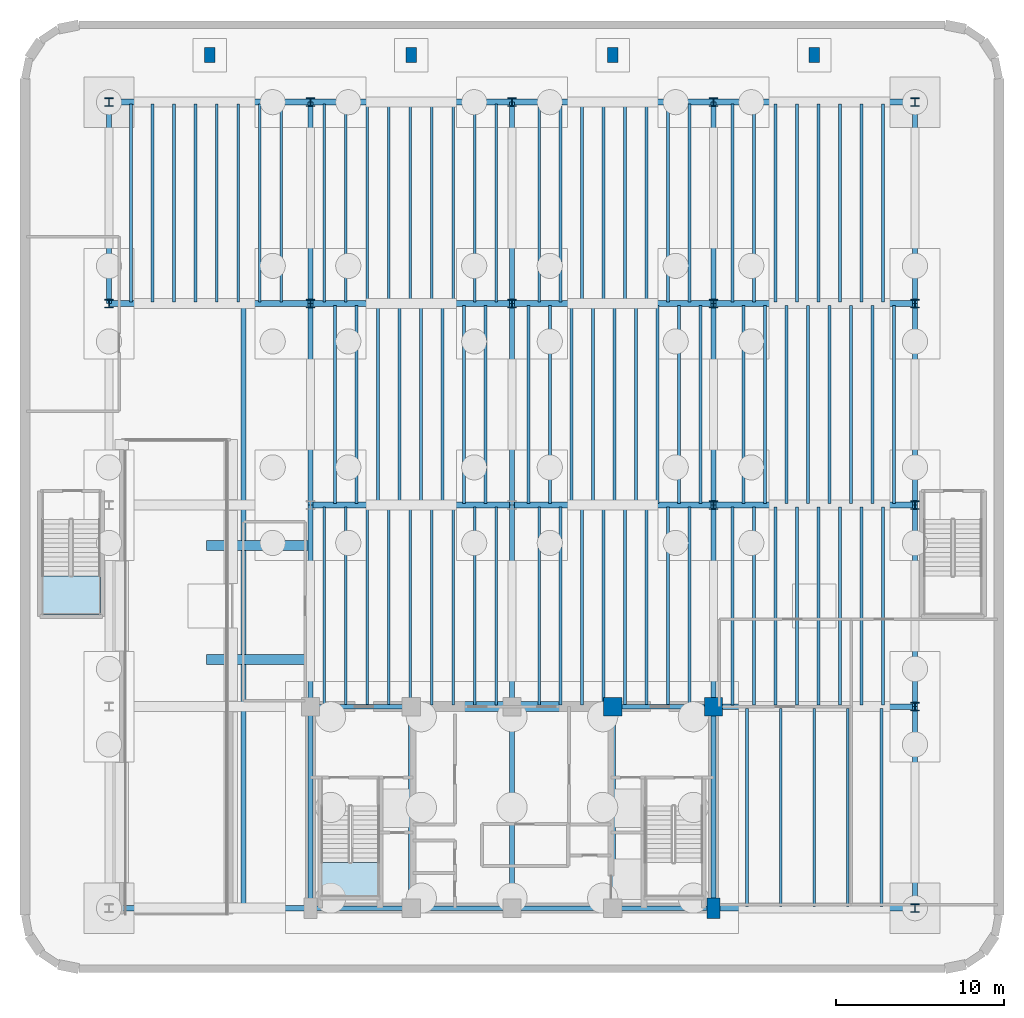
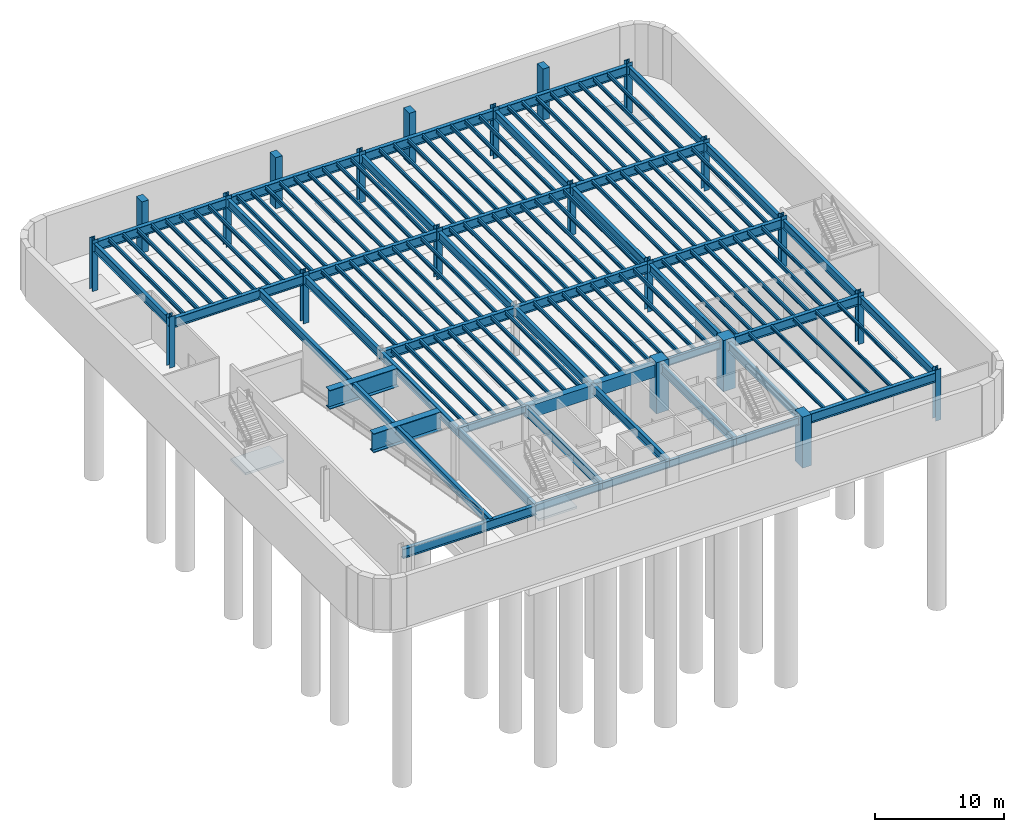
# One storey, part 2 of 9: 131 beams, 21 columns, 2 slabs, 2 elements without a shape of their own.
"""IFC4 building model written with IfcOpenShell, lengths in metres."""

from ifc_helpers import new_model, si_unit, direction, frame, origin, origin_2d, place, context, subcontext, project, spatial, polyline, rectangle, i_section, outline, extrude, source, transform, mapped, material, layer, layer_set, material_profile, profile_set, type_object, element, aggregate, save


model = new_model("IFC4")

# Units and contexts
model_context = context("Model", 3, precision=1e-05, world=origin(), true_north=direction((0.0, 1.0)))
body_context = subcontext(model_context, "Body", "Model", "MODEL_VIEW")
ifc_project = project(units=[si_unit("LENGTHUNIT", "METRE"), si_unit("AREAUNIT", "SQUARE_METRE"), si_unit("VOLUMEUNIT", "CUBIC_METRE"), si_unit("PLANEANGLEUNIT", "RADIAN"), si_unit("MASSUNIT", "GRAM", prefix="KILO")], contexts=[model_context])

# Site, building, storey
site_placement = place(None, origin())
site = spatial("IfcSite", under=ifc_project, at=site_placement, CompositionType="ELEMENT")
building_placement = place(site_placement, origin())
building = spatial("IfcBuilding", under=site, at=building_placement, Name="Brelvock Crest Care Tower", CompositionType="ELEMENT")
storey_placement = place(building_placement, frame((0.0, 0.0, -4.860107421875)))
storey = spatial("IfcBuildingStorey", under=building, at=storey_placement, Name="B1", CompositionType="ELEMENT", Elevation=-4.860107421875)

# Columns
ifc_material_1 = material(Name="Concrete S80 (80 MPa)", Category="concrete")
ifc_material_profile_1 = material_profile(ifc_material_1, rectangle(XDim=0.800048828125, YDim=1.199951171875, at=origin_2d()), Name="RC800x1200")
ifc_profile_set_1 = profile_set([ifc_material_profile_1], Name="Concrete S80 (80 MPa)")
column_type_1 = type_object("IfcColumnType", Name="COL-RC5", PredefinedType="COLUMN", material=ifc_profile_set_1)
shared_shape_1 = source(origin(), body_context, "Body", "SweptSolid", [
    extrude(rectangle(XDim=0.800048828125, YDim=1.199951171875, at=origin_2d()), origin(), (0.0, 0.0, 1.0), 4.860107421875),
])
column_placement = place(storey_placement, frame((48.0, 6.0, 0.0), z_axis=(0.0, 0.0, 1.0), x_axis=(1.0, 0.0, 0.0)))
element("IfcColumn", 1, at=column_placement, inside=storey, type_object=column_type_1, Name="B1 Core Column CC-05", PredefinedType="COLUMN", context=body_context, shape_type="MappedRepresentation", body=[
    mapped(shared_shape_1, transform((0.0, 0.0, 0.0), x_axis=(1.0, 0.0, 0.0), y_axis=(0.0, 1.0, 0.0), z_axis=(0.0, 0.0, 1.0), scale=1.0)),
])
ifc_material_profile_2 = material_profile(ifc_material_1, rectangle(XDim=1.10009765625, YDim=1.10009765625, at=origin_2d()), Name="RC1100x1100")
ifc_profile_set_2 = profile_set([ifc_material_profile_2], Name="Concrete S80 (80 MPa)")
column_type_2 = type_object("IfcColumnType", Name="COL-RC1", PredefinedType="COLUMN", material=ifc_profile_set_2)
shared_shape_2 = source(origin(), body_context, "Body", "SweptSolid", [
    extrude(rectangle(XDim=1.10009765625, YDim=1.10009765625, at=origin_2d()), origin(), (0.0, 0.0, 1.0), 4.860107421875),
])
for number, where, z_axis, x_axis, name in (
    (2, (42.0, 18.0, 0.0), (0.0, 0.0, 1.0), (1.0, 0.0, 0.0), "B1 Core Column CC-09"),
    (3, (48.0, 18.0, 0.0), (0.0, 0.0, 1.0), (1.0, 0.0, 0.0), "B1 Core Column CC-10"),
):
    element("IfcColumn", number, at=place(storey_placement, frame(where, z_axis=z_axis, x_axis=x_axis)), inside=storey, type_object=column_type_2, Name=name, PredefinedType="COLUMN", context=body_context, shape_type="MappedRepresentation", body=[
        mapped(shared_shape_2, transform((0.0, 0.0, 0.0), x_axis=(1.0, 0.0, 0.0), y_axis=(0.0, 1.0, 0.0), z_axis=(0.0, 0.0, 1.0), scale=1.0)),
    ])
ifc_material_2 = material(Name="Steel Grade 350", Category="steel")
ifc_material_profile_3 = material_profile(ifc_material_2, i_section(OverallWidth=0.5, OverallDepth=0.5, WebThickness=0.028076171875, FlangeThickness=0.044921875, at=origin_2d()), Name="500WC440")
ifc_profile_set_3 = profile_set([ifc_material_profile_3], Name="Steel Grade 350")
column_type_3 = type_object("IfcColumnType", Name="COL-PC1", PredefinedType="COLUMN", material=ifc_profile_set_3)
shared_shape_3 = source(origin(), body_context, "Body", "SweptSolid", [
    extrude(i_section(OverallWidth=0.5, OverallDepth=0.5, WebThickness=0.028076171875, FlangeThickness=0.044921875, at=origin_2d()), origin(), (0.0, 0.0, 1.0), 4.860107421875),
])
for number, where, z_axis, x_axis, name in (
    (4, (60.0, 6.0, 0.0), (0.0, 0.0, 1.0), (1.0, 0.0, 0.0), "B1 Podium Column PC-02"),
    (5, (60.0, 18.0, 0.0), (0.0, 0.0, 1.0), (1.0, 0.0, 0.0), "B1 Podium Column PC-04"),
    (6, (48.0, 30.0, 0.0), (0.0, 0.0, 1.0), (1.0, 0.0, 0.0), "B1 Podium Column PC-08"),
    (7, (60.0, 30.0, 0.0), (0.0, 0.0, 1.0), (1.0, 0.0, 0.0), "B1 Podium Column PC-09"),
    (8, (12.0, 42.0, 0.0), (0.0, 0.0, 1.0), (1.0, 0.0, 0.0), "B1 Podium Column PC-10"),
    (9, (24.0, 42.0, 0.0), (0.0, 0.0, 1.0), (1.0, 0.0, 0.0), "B1 Podium Column PC-11"),
    (10, (36.0, 42.0, 0.0), (0.0, 0.0, 1.0), (1.0, 0.0, 0.0), "B1 Podium Column PC-12"),
    (11, (48.0, 42.0, 0.0), (0.0, 0.0, 1.0), (1.0, 0.0, 0.0), "B1 Podium Column PC-13"),
    (12, (60.0, 42.0, 0.0), (0.0, 0.0, 1.0), (1.0, 0.0, 0.0), "B1 Podium Column PC-14"),
    (13, (12.0, 54.0, 0.0), (0.0, 0.0, 1.0), (1.0, 0.0, 0.0), "B1 Podium Column PC-15"),
    (14, (24.0, 54.0, 0.0), (0.0, 0.0, 1.0), (1.0, 0.0, 0.0), "B1 Podium Column PC-16"),
    (15, (36.0, 54.0, 0.0), (0.0, 0.0, 1.0), (1.0, 0.0, 0.0), "B1 Podium Column PC-17"),
    (16, (48.0, 54.0, 0.0), (0.0, 0.0, 1.0), (1.0, 0.0, 0.0), "B1 Podium Column PC-18"),
    (17, (60.0, 54.0, 0.0), (0.0, 0.0, 1.0), (1.0, 0.0, 0.0), "B1 Podium Column PC-19"),
):
    element("IfcColumn", number, at=place(storey_placement, frame(where, z_axis=z_axis, x_axis=x_axis)), inside=storey, type_object=column_type_3, Name=name, PredefinedType="COLUMN", context=body_context, shape_type="MappedRepresentation", body=[
        mapped(shared_shape_3, transform((0.0, 0.0, 0.0), x_axis=(1.0, 0.0, 0.0), y_axis=(0.0, 1.0, 0.0), z_axis=(0.0, 0.0, 1.0), scale=1.0)),
    ])
ifc_material_3 = material(Name="Concrete N50 (50 MPa)", Category="concrete")
ifc_material_profile_4 = material_profile(ifc_material_3, rectangle(XDim=0.60009765625, YDim=0.89990234375, at=origin_2d()), Name="RC600x900")
ifc_profile_set_4 = profile_set([ifc_material_profile_4], Name="Concrete N50 (50 MPa)")
column_type_4 = type_object("IfcColumnType", Name="COL-PL1", PredefinedType="PILASTER", material=ifc_profile_set_4)
shared_shape_4 = source(origin(), body_context, "Body", "SweptSolid", [
    extrude(rectangle(XDim=0.60009765625, YDim=0.89990234375, at=origin_2d()), origin(), (0.0, 0.0, 1.0), 4.860107421875),
])
for number, where, z_axis, x_axis, name in (
    (18, (18.0, 56.800048828125, 0.0), (0.0, 0.0, 1.0), (1.0, 0.0, 0.0), "B1 Podium Pilaster PIL-1"),
    (19, (30.0, 56.800048828125, 0.0), (0.0, 0.0, 1.0), (1.0, 0.0, 0.0), "B1 Podium Pilaster PIL-2"),
    (20, (42.0, 56.800048828125, 0.0), (0.0, 0.0, 1.0), (1.0, 0.0, 0.0), "B1 Podium Pilaster PIL-3"),
    (21, (54.0, 56.800048828125, 0.0), (0.0, 0.0, 1.0), (1.0, 0.0, 0.0), "B1 Podium Pilaster PIL-4"),
):
    element("IfcColumn", number, at=place(storey_placement, frame(where, z_axis=z_axis, x_axis=x_axis)), inside=storey, type_object=column_type_4, Name=name, PredefinedType="PILASTER", context=body_context, shape_type="MappedRepresentation", body=[
        mapped(shared_shape_4, transform((0.0, 0.0, 0.0), x_axis=(1.0, 0.0, 0.0), y_axis=(0.0, 1.0, 0.0), z_axis=(0.0, 0.0, 1.0), scale=1.0)),
    ])

# Beams
ifc_material_profile_5 = material_profile(ifc_material_1, rectangle(XDim=0.60009765625, YDim=1.199951171875, at=origin_2d()), Name="RC600x1200")
ifc_profile_set_5 = profile_set([ifc_material_profile_5], Name="Concrete S80 (80 MPa)")
beam_type_1 = type_object("IfcBeamType", Name="BM-LN1", PredefinedType="LINTEL", material=ifc_profile_set_5)
shared_shape_5 = source(origin(), body_context, "Body", "SweptSolid", [
    extrude(rectangle(XDim=0.60009765625, YDim=1.199951171875, at=origin_2d()), origin(), (0.0, 0.0, 1.0), 12.0),
])
beam_1_placement = place(storey_placement, frame((30.0, 18.0, 3.940185546875), z_axis=(1.0, 0.0, 0.0), x_axis=(0.0, 1.0, 0.0)))
element("IfcBeam", 22, at=beam_1_placement, inside=storey, type_object=beam_type_1, Name="B1 Core Coupling Lintel Beam", PredefinedType="LINTEL", context=body_context, shape_type="MappedRepresentation", body=[
    mapped(shared_shape_5, transform((0.0, 0.0, 0.0), x_axis=(1.0, 0.0, 0.0), y_axis=(0.0, 1.0, 0.0), z_axis=(0.0, 0.0, 1.0), scale=1.0)),
])
ifc_material_profile_6 = material_profile(ifc_material_2, i_section(OverallWidth=0.25, OverallDepth=0.699951171875, WebThickness=0.011962890625, FlangeThickness=0.02001953125, at=origin_2d()), Name="700WB150")
ifc_profile_set_6 = profile_set([ifc_material_profile_6], Name="Steel Grade 350")
beam_type_2 = type_object("IfcBeamType", Name="BM-G4", PredefinedType="BEAM", material=ifc_profile_set_6)
shared_shape_6 = source(origin(), body_context, "Body", "SweptSolid", [
    extrude(i_section(OverallWidth=0.25, OverallDepth=0.699951171875, WebThickness=0.011962890625, FlangeThickness=0.02001953125, at=origin_2d()), origin(), (0.0, 0.0, 1.0), 6.0),
])
for number, where, z_axis, x_axis, name in (
    (23, (24.0, 6.0, 4.190185546875), (1.0, 0.0, 0.0), (0.0, 1.0, 0.0), "BM-CORES-B1-1"),
    (24, (24.0, 18.0, 4.190185546875), (1.0, 0.0, 0.0), (0.0, 1.0, 0.0), "BM-COREN-B1-1"),
    (25, (30.0, 6.0, 4.190185546875), (1.0, 0.0, 0.0), (0.0, 1.0, 0.0), "BM-CORES-B1-2"),
    (26, (36.0, 6.0, 4.190185546875), (1.0, 0.0, 0.0), (0.0, 1.0, 0.0), "BM-CORES-B1-3"),
    (27, (42.0, 6.0, 4.190185546875), (1.0, 0.0, 0.0), (0.0, 1.0, 0.0), "BM-CORES-B1-4"),
    (28, (42.0, 18.0, 4.190185546875), (1.0, 0.0, 0.0), (0.0, 1.0, 0.0), "BM-COREN-B1-4"),
):
    element("IfcBeam", number, at=place(storey_placement, frame(where, z_axis=z_axis, x_axis=x_axis)), inside=storey, type_object=beam_type_2, Name=name, PredefinedType="BEAM", context=body_context, shape_type="MappedRepresentation", body=[
        mapped(shared_shape_6, transform((0.0, 0.0, 0.0), x_axis=(1.0, 0.0, 0.0), y_axis=(0.0, 1.0, 0.0), z_axis=(0.0, 0.0, 1.0), scale=1.0)),
    ])
ifc_material_profile_7 = material_profile(ifc_material_2, i_section(OverallWidth=0.300048828125, OverallDepth=0.800048828125, WebThickness=0.013916015625, FlangeThickness=0.02197265625, at=origin_2d()), Name="800WB192")
ifc_profile_set_7 = profile_set([ifc_material_profile_7], Name="Steel Grade 350")
beam_type_3 = type_object("IfcBeamType", Name="BM-G5", PredefinedType="BEAM", material=ifc_profile_set_7)
shared_shape_7 = source(origin(), body_context, "Body", "SweptSolid", [
    extrude(i_section(OverallWidth=0.300048828125, OverallDepth=0.800048828125, WebThickness=0.013916015625, FlangeThickness=0.02197265625, at=origin_2d()), origin(), (0.0, 0.0, 1.0), 12.0),
])
for number, where, z_axis, x_axis, name in (
    (29, (24.0, 6.0, 4.14013671875), (0.0, 1.0, 0.0), (-1.0, 0.0, 0.0), "BM-COREX-B1-1"),
    (30, (30.0, 6.0, 4.14013671875), (0.0, 1.0, 0.0), (-1.0, 0.0, 0.0), "BM-COREX-B1-2"),
    (31, (36.0, 6.0, 4.14013671875), (0.0, 1.0, 0.0), (-1.0, 0.0, 0.0), "BM-COREX-B1-3"),
    (32, (42.0, 6.0, 4.14013671875), (0.0, 1.0, 0.0), (-1.0, 0.0, 0.0), "BM-COREX-B1-4"),
    (33, (48.0, 6.0, 4.14013671875), (0.0, 1.0, 0.0), (-1.0, 0.0, 0.0), "BM-COREX-B1-5"),
    (34, (12.0, 42.0, 4.14013671875), (0.0, 1.0, 0.0), (-1.0, 0.0, 0.0), "BM-PODY-B1-12-42"),
    (35, (24.0, 18.0, 4.14013671875), (0.0, 1.0, 0.0), (-1.0, 0.0, 0.0), "BM-PODY-B1-24-18"),
    (36, (24.0, 30.0, 4.14013671875), (0.0, 1.0, 0.0), (-1.0, 0.0, 0.0), "BM-PODY-B1-24-30"),
    (37, (24.0, 42.0, 4.14013671875), (0.0, 1.0, 0.0), (-1.0, 0.0, 0.0), "BM-PODY-B1-24-42"),
    (38, (36.0, 18.0, 4.14013671875), (0.0, 1.0, 0.0), (-1.0, 0.0, 0.0), "BM-PODY-B1-36-18"),
    (39, (36.0, 30.0, 4.14013671875), (0.0, 1.0, 0.0), (-1.0, 0.0, 0.0), "BM-PODY-B1-36-30"),
    (40, (36.0, 42.0, 4.14013671875), (0.0, 1.0, 0.0), (-1.0, 0.0, 0.0), "BM-PODY-B1-36-42"),
    (41, (48.0, 18.0, 4.14013671875), (0.0, 1.0, 0.0), (-1.0, 0.0, 0.0), "BM-PODY-B1-48-18"),
    (42, (48.0, 30.0, 4.14013671875), (0.0, 1.0, 0.0), (-1.0, 0.0, 0.0), "BM-PODY-B1-48-30"),
    (43, (48.0, 42.0, 4.14013671875), (0.0, 1.0, 0.0), (-1.0, 0.0, 0.0), "BM-PODY-B1-48-42"),
    (44, (60.0, 6.0, 4.14013671875), (0.0, 1.0, 0.0), (-1.0, 0.0, 0.0), "BM-PODY-B1-60-6"),
    (45, (60.0, 18.0, 4.14013671875), (0.0, 1.0, 0.0), (-1.0, 0.0, 0.0), "BM-PODY-B1-60-18"),
    (46, (60.0, 30.0, 4.14013671875), (0.0, 1.0, 0.0), (-1.0, 0.0, 0.0), "BM-PODY-B1-60-30"),
    (47, (60.0, 42.0, 4.14013671875), (0.0, 1.0, 0.0), (-1.0, 0.0, 0.0), "BM-PODY-B1-60-42"),
):
    element("IfcBeam", number, at=place(storey_placement, frame(where, z_axis=z_axis, x_axis=x_axis)), inside=storey, type_object=beam_type_3, Name=name, PredefinedType="BEAM", context=body_context, shape_type="MappedRepresentation", body=[
        mapped(shared_shape_7, transform((0.0, 0.0, 0.0), x_axis=(1.0, 0.0, 0.0), y_axis=(0.0, 1.0, 0.0), z_axis=(0.0, 0.0, 1.0), scale=1.0)),
    ])
shared_shape_8 = source(origin(), body_context, "Body", "SweptSolid", [
    extrude(i_section(OverallWidth=0.300048828125, OverallDepth=0.800048828125, WebThickness=0.013916015625, FlangeThickness=0.02197265625, at=origin_2d()), origin(), (0.0, 0.0, 1.0), 36.0),
])
beam_2_placement = place(storey_placement, frame((20.0, 6.0, 4.14013671875), z_axis=(0.0, 1.0, 0.0), x_axis=(-1.0, 0.0, 0.0)))
element("IfcBeam", 48, at=beam_2_placement, inside=storey, type_object=beam_type_3, Name="BM-RMP-B1-X20", PredefinedType="BEAM", context=body_context, shape_type="MappedRepresentation", body=[
    mapped(shared_shape_8, transform((0.0, 0.0, 0.0), x_axis=(1.0, 0.0, 0.0), y_axis=(0.0, 1.0, 0.0), z_axis=(0.0, 0.0, 1.0), scale=1.0)),
])
ifc_material_profile_8 = material_profile(ifc_material_2, i_section(OverallWidth=0.60009765625, OverallDepth=1.800048828125, WebThickness=0.028076171875, FlangeThickness=0.052001953125, at=origin_2d()), Name="1800TG740")
ifc_profile_set_8 = profile_set([ifc_material_profile_8], Name="Steel Grade 350")
beam_type_4 = type_object("IfcBeamType", Name="BM-TG1", PredefinedType="USERDEFINED", material=ifc_profile_set_8)
shared_shape_9 = source(origin(), body_context, "Body", "SweptSolid", [
    extrude(i_section(OverallWidth=0.60009765625, OverallDepth=1.800048828125, WebThickness=0.028076171875, FlangeThickness=0.052001953125, at=origin_2d()), origin(), (0.0, 0.0, 1.0), 6.199951171875),
])
for number, where, z_axis, x_axis, name in (
    (49, (17.800048828125, 20.800048828125, 3.64013671875), (1.0, 0.0, 0.0), (0.0, 1.0, 0.0), "BM-ST5-TG-S"),
    (50, (17.800048828125, 27.60009765625, 3.64013671875), (1.0, 0.0, 0.0), (0.0, 1.0, 0.0), "BM-ST5-TG-N"),
):
    element("IfcBeam", number, at=place(storey_placement, frame(where, z_axis=z_axis, x_axis=x_axis)), inside=storey, type_object=beam_type_4, Name=name, ObjectType="GIRDER", PredefinedType="USERDEFINED", context=body_context, shape_type="MappedRepresentation", body=[
        mapped(shared_shape_9, transform((0.0, 0.0, 0.0), x_axis=(1.0, 0.0, 0.0), y_axis=(0.0, 1.0, 0.0), z_axis=(0.0, 0.0, 1.0), scale=1.0)),
    ])
ifc_material_profile_9 = material_profile(ifc_material_2, i_section(OverallWidth=0.35009765625, OverallDepth=0.89990234375, WebThickness=0.01611328125, FlangeThickness=0.028076171875, at=origin_2d()), Name="900WB257")
ifc_profile_set_9 = profile_set([ifc_material_profile_9], Name="Steel Grade 350")
beam_type_5 = type_object("IfcBeamType", Name="BM-G6", PredefinedType="BEAM", material=ifc_profile_set_9)
shared_shape_10 = source(origin(), body_context, "Body", "SweptSolid", [
    extrude(i_section(OverallWidth=0.35009765625, OverallDepth=0.89990234375, WebThickness=0.01611328125, FlangeThickness=0.028076171875, at=origin_2d()), origin(), (0.0, 0.0, 1.0), 12.0),
])
for number, where, z_axis, x_axis, name in (
    (51, (12.0, 6.0, 4.05419921875), (1.0, 0.0, 0.0), (0.0, 1.0, 0.0), "BM-PODX-B1-6-12"),
    (52, (48.0, 6.0, 4.090087890625), (1.0, 0.0, 0.0), (0.0, 1.0, 0.0), "BM-PODX-B1-6-48"),
    (53, (48.0, 18.0, 4.090087890625), (1.0, 0.0, 0.0), (0.0, 1.0, 0.0), "BM-PODX-B1-18-48"),
    (54, (24.0, 30.0, 4.090087890625), (1.0, 0.0, 0.0), (0.0, 1.0, 0.0), "BM-PODX-B1-30-24"),
    (55, (36.0, 30.0, 4.090087890625), (1.0, 0.0, 0.0), (0.0, 1.0, 0.0), "BM-PODX-B1-30-36"),
    (56, (48.0, 30.0, 4.090087890625), (1.0, 0.0, 0.0), (0.0, 1.0, 0.0), "BM-PODX-B1-30-48"),
    (57, (12.0, 42.0, 4.090087890625), (1.0, 0.0, 0.0), (0.0, 1.0, 0.0), "BM-PODX-B1-42-12"),
    (58, (24.0, 42.0, 4.090087890625), (1.0, 0.0, 0.0), (0.0, 1.0, 0.0), "BM-PODX-B1-42-24"),
    (59, (36.0, 42.0, 4.090087890625), (1.0, 0.0, 0.0), (0.0, 1.0, 0.0), "BM-PODX-B1-42-36"),
    (60, (48.0, 42.0, 4.090087890625), (1.0, 0.0, 0.0), (0.0, 1.0, 0.0), "BM-PODX-B1-42-48"),
    (61, (12.0, 54.0, 4.090087890625), (1.0, 0.0, 0.0), (0.0, 1.0, 0.0), "BM-PODX-B1-54-12"),
    (62, (24.0, 54.0, 4.090087890625), (1.0, 0.0, 0.0), (0.0, 1.0, 0.0), "BM-PODX-B1-54-24"),
    (63, (36.0, 54.0, 4.090087890625), (1.0, 0.0, 0.0), (0.0, 1.0, 0.0), "BM-PODX-B1-54-36"),
    (64, (48.0, 54.0, 4.090087890625), (1.0, 0.0, 0.0), (0.0, 1.0, 0.0), "BM-PODX-B1-54-48"),
):
    element("IfcBeam", number, at=place(storey_placement, frame(where, z_axis=z_axis, x_axis=x_axis)), inside=storey, type_object=beam_type_5, Name=name, PredefinedType="BEAM", context=body_context, shape_type="MappedRepresentation", body=[
        mapped(shared_shape_10, transform((0.0, 0.0, 0.0), x_axis=(1.0, 0.0, 0.0), y_axis=(0.0, 1.0, 0.0), z_axis=(0.0, 0.0, 1.0), scale=1.0)),
    ])
ifc_material_profile_10 = material_profile(ifc_material_2, i_section(OverallWidth=0.172119140625, OverallDepth=0.35888671875, WebThickness=0.008056640625, FlangeThickness=0.012939453125, FilletRadius=0.011474609375, at=origin_2d()), Name="360UB56.7")
ifc_profile_set_10 = profile_set([ifc_material_profile_10], Name="Steel Grade 350")
beam_type_6 = type_object("IfcBeamType", Name="BM-J1", PredefinedType="JOIST", material=ifc_profile_set_10)
shared_shape_11 = source(origin(), body_context, "Body", "SweptSolid", [
    extrude(i_section(OverallWidth=0.172119140625, OverallDepth=0.35888671875, WebThickness=0.008056640625, FlangeThickness=0.012939453125, FilletRadius=0.011474609375, at=origin_2d()), origin(), (0.0, 0.0, 1.0), 11.77001953125),
])
for number, where, z_axis, x_axis, name in (
    (65, (13.300048828125, 42.114990234375, 4.360595703125), (0.0, 1.0, 0.0), (-1.0, 0.0, 0.0), "BM-PODJ-B1-1330-42"),
    (66, (14.580078125, 42.114990234375, 4.360595703125), (0.0, 1.0, 0.0), (-1.0, 0.0, 0.0), "BM-PODJ-B1-1458-42"),
    (67, (15.860107421875, 42.114990234375, 4.360595703125), (0.0, 1.0, 0.0), (-1.0, 0.0, 0.0), "BM-PODJ-B1-1586-42"),
    (68, (17.139892578125, 42.114990234375, 4.360595703125), (0.0, 1.0, 0.0), (-1.0, 0.0, 0.0), "BM-PODJ-B1-1714-42"),
    (69, (18.419921875, 42.114990234375, 4.360595703125), (0.0, 1.0, 0.0), (-1.0, 0.0, 0.0), "BM-PODJ-B1-1842-42"),
    (70, (19.699951171875, 42.114990234375, 4.360595703125), (0.0, 1.0, 0.0), (-1.0, 0.0, 0.0), "BM-PODJ-B1-1970-42"),
    (71, (20.97998046875, 42.114990234375, 4.360595703125), (0.0, 1.0, 0.0), (-1.0, 0.0, 0.0), "BM-PODJ-B1-2098-42"),
    (72, (22.260009765625, 42.114990234375, 4.360595703125), (0.0, 1.0, 0.0), (-1.0, 0.0, 0.0), "BM-PODJ-B1-2226-42"),
    (73, (24.820068359375, 18.114990234375, 4.360595703125), (0.0, 1.0, 0.0), (-1.0, 0.0, 0.0), "BM-PODJ-B1-2482-18"),
    (74, (25.4599609375, 30.114990234375, 4.360595703125), (0.0, 1.0, 0.0), (-1.0, 0.0, 0.0), "BM-PODJ-B1-2546-30"),
    (75, (24.820068359375, 42.114990234375, 4.360595703125), (0.0, 1.0, 0.0), (-1.0, 0.0, 0.0), "BM-PODJ-B1-2482-42"),
    (76, (26.10009765625, 18.114990234375, 4.360595703125), (0.0, 1.0, 0.0), (-1.0, 0.0, 0.0), "BM-PODJ-B1-2610-18"),
    (77, (26.739990234375, 30.114990234375, 4.360595703125), (0.0, 1.0, 0.0), (-1.0, 0.0, 0.0), "BM-PODJ-B1-2674-30"),
    (78, (26.10009765625, 42.114990234375, 4.360595703125), (0.0, 1.0, 0.0), (-1.0, 0.0, 0.0), "BM-PODJ-B1-2610-42"),
    (79, (27.3798828125, 18.114990234375, 4.360595703125), (0.0, 1.0, 0.0), (-1.0, 0.0, 0.0), "BM-PODJ-B1-2738-18"),
    (80, (28.02001953125, 30.114990234375, 4.360595703125), (0.0, 1.0, 0.0), (-1.0, 0.0, 0.0), "BM-PODJ-B1-2802-30"),
    (81, (27.3798828125, 42.114990234375, 4.360595703125), (0.0, 1.0, 0.0), (-1.0, 0.0, 0.0), "BM-PODJ-B1-2738-42"),
    (82, (28.659912109375, 18.114990234375, 4.360595703125), (0.0, 1.0, 0.0), (-1.0, 0.0, 0.0), "BM-PODJ-B1-2866-18"),
    (83, (29.300048828125, 30.114990234375, 4.360595703125), (0.0, 1.0, 0.0), (-1.0, 0.0, 0.0), "BM-PODJ-B1-2930-30"),
    (84, (28.659912109375, 42.114990234375, 4.360595703125), (0.0, 1.0, 0.0), (-1.0, 0.0, 0.0), "BM-PODJ-B1-2866-42"),
    (85, (29.93994140625, 18.114990234375, 4.360595703125), (0.0, 1.0, 0.0), (-1.0, 0.0, 0.0), "BM-PODJ-B1-2994-18"),
    (86, (30.580078125, 30.114990234375, 4.360595703125), (0.0, 1.0, 0.0), (-1.0, 0.0, 0.0), "BM-PODJ-B1-3058-30"),
    (87, (29.93994140625, 42.114990234375, 4.360595703125), (0.0, 1.0, 0.0), (-1.0, 0.0, 0.0), "BM-PODJ-B1-2994-42"),
    (88, (31.219970703125, 18.114990234375, 4.360595703125), (0.0, 1.0, 0.0), (-1.0, 0.0, 0.0), "BM-PODJ-B1-3122-18"),
    (89, (31.860107421875, 30.114990234375, 4.360595703125), (0.0, 1.0, 0.0), (-1.0, 0.0, 0.0), "BM-PODJ-B1-3186-30"),
    (90, (31.219970703125, 42.114990234375, 4.360595703125), (0.0, 1.0, 0.0), (-1.0, 0.0, 0.0), "BM-PODJ-B1-3122-42"),
    (91, (32.5, 18.114990234375, 4.360595703125), (0.0, 1.0, 0.0), (-1.0, 0.0, 0.0), "BM-PODJ-B1-3250-18"),
    (92, (33.139892578125, 30.114990234375, 4.360595703125), (0.0, 1.0, 0.0), (-1.0, 0.0, 0.0), "BM-PODJ-B1-3314-30"),
    (93, (32.5, 42.114990234375, 4.360595703125), (0.0, 1.0, 0.0), (-1.0, 0.0, 0.0), "BM-PODJ-B1-3250-42"),
    (94, (33.780029296875, 18.114990234375, 4.360595703125), (0.0, 1.0, 0.0), (-1.0, 0.0, 0.0), "BM-PODJ-B1-3378-18"),
    (95, (34.419921875, 30.114990234375, 4.360595703125), (0.0, 1.0, 0.0), (-1.0, 0.0, 0.0), "BM-PODJ-B1-3442-30"),
    (96, (33.780029296875, 42.114990234375, 4.360595703125), (0.0, 1.0, 0.0), (-1.0, 0.0, 0.0), "BM-PODJ-B1-3378-42"),
    (97, (35.06005859375, 18.114990234375, 4.360595703125), (0.0, 1.0, 0.0), (-1.0, 0.0, 0.0), "BM-PODJ-B1-3506-18"),
    (98, (35.06005859375, 42.114990234375, 4.360595703125), (0.0, 1.0, 0.0), (-1.0, 0.0, 0.0), "BM-PODJ-B1-3506-42"),
    (99, (36.97998046875, 30.114990234375, 4.360595703125), (0.0, 1.0, 0.0), (-1.0, 0.0, 0.0), "BM-PODJ-B1-3698-30"),
    (100, (37.6201171875, 18.114990234375, 4.360595703125), (0.0, 1.0, 0.0), (-1.0, 0.0, 0.0), "BM-PODJ-B1-3762-18"),
    (101, (38.260009765625, 30.114990234375, 4.360595703125), (0.0, 1.0, 0.0), (-1.0, 0.0, 0.0), "BM-PODJ-B1-3826-30"),
    (102, (37.6201171875, 42.114990234375, 4.360595703125), (0.0, 1.0, 0.0), (-1.0, 0.0, 0.0), "BM-PODJ-B1-3762-42"),
    (103, (38.89990234375, 18.114990234375, 4.360595703125), (0.0, 1.0, 0.0), (-1.0, 0.0, 0.0), "BM-PODJ-B1-3890-18"),
    (104, (39.5400390625, 30.114990234375, 4.360595703125), (0.0, 1.0, 0.0), (-1.0, 0.0, 0.0), "BM-PODJ-B1-3954-30"),
    (105, (38.89990234375, 42.114990234375, 4.360595703125), (0.0, 1.0, 0.0), (-1.0, 0.0, 0.0), "BM-PODJ-B1-3890-42"),
    (106, (40.179931640625, 18.114990234375, 4.360595703125), (0.0, 1.0, 0.0), (-1.0, 0.0, 0.0), "BM-PODJ-B1-4018-18"),
    (107, (40.820068359375, 30.114990234375, 4.360595703125), (0.0, 1.0, 0.0), (-1.0, 0.0, 0.0), "BM-PODJ-B1-4082-30"),
    (108, (40.179931640625, 42.114990234375, 4.360595703125), (0.0, 1.0, 0.0), (-1.0, 0.0, 0.0), "BM-PODJ-B1-4018-42"),
    (109, (41.4599609375, 18.114990234375, 4.360595703125), (0.0, 1.0, 0.0), (-1.0, 0.0, 0.0), "BM-PODJ-B1-4146-18"),
    (110, (42.10009765625, 30.114990234375, 4.360595703125), (0.0, 1.0, 0.0), (-1.0, 0.0, 0.0), "BM-PODJ-B1-4210-30"),
    (111, (41.4599609375, 42.114990234375, 4.360595703125), (0.0, 1.0, 0.0), (-1.0, 0.0, 0.0), "BM-PODJ-B1-4146-42"),
    (112, (42.739990234375, 18.114990234375, 4.360595703125), (0.0, 1.0, 0.0), (-1.0, 0.0, 0.0), "BM-PODJ-B1-4274-18"),
    (113, (43.3798828125, 30.114990234375, 4.360595703125), (0.0, 1.0, 0.0), (-1.0, 0.0, 0.0), "BM-PODJ-B1-4338-30"),
    (114, (42.739990234375, 42.114990234375, 4.360595703125), (0.0, 1.0, 0.0), (-1.0, 0.0, 0.0), "BM-PODJ-B1-4274-42"),
    (115, (44.02001953125, 18.114990234375, 4.360595703125), (0.0, 1.0, 0.0), (-1.0, 0.0, 0.0), "BM-PODJ-B1-4402-18"),
    (116, (44.659912109375, 30.114990234375, 4.360595703125), (0.0, 1.0, 0.0), (-1.0, 0.0, 0.0), "BM-PODJ-B1-4466-30"),
    (117, (44.02001953125, 42.114990234375, 4.360595703125), (0.0, 1.0, 0.0), (-1.0, 0.0, 0.0), "BM-PODJ-B1-4402-42"),
    (118, (45.300048828125, 18.114990234375, 4.360595703125), (0.0, 1.0, 0.0), (-1.0, 0.0, 0.0), "BM-PODJ-B1-4530-18"),
    (119, (45.93994140625, 30.114990234375, 4.360595703125), (0.0, 1.0, 0.0), (-1.0, 0.0, 0.0), "BM-PODJ-B1-4594-30"),
    (120, (45.300048828125, 42.114990234375, 4.360595703125), (0.0, 1.0, 0.0), (-1.0, 0.0, 0.0), "BM-PODJ-B1-4530-42"),
    (121, (46.580078125, 18.114990234375, 4.360595703125), (0.0, 1.0, 0.0), (-1.0, 0.0, 0.0), "BM-PODJ-B1-4658-18"),
    (122, (47.219970703125, 30.114990234375, 4.360595703125), (0.0, 1.0, 0.0), (-1.0, 0.0, 0.0), "BM-PODJ-B1-4722-30"),
    (123, (46.580078125, 42.114990234375, 4.360595703125), (0.0, 1.0, 0.0), (-1.0, 0.0, 0.0), "BM-PODJ-B1-4658-42"),
    (124, (49.139892578125, 18.114990234375, 4.360595703125), (0.0, 1.0, 0.0), (-1.0, 0.0, 0.0), "BM-PODJ-B1-4914-18"),
    (125, (49.780029296875, 30.114990234375, 4.360595703125), (0.0, 1.0, 0.0), (-1.0, 0.0, 0.0), "BM-PODJ-B1-4978-30"),
    (126, (49.139892578125, 42.114990234375, 4.360595703125), (0.0, 1.0, 0.0), (-1.0, 0.0, 0.0), "BM-PODJ-B1-4914-42"),
    (127, (50.419921875, 18.114990234375, 4.360595703125), (0.0, 1.0, 0.0), (-1.0, 0.0, 0.0), "BM-PODJ-B1-5042-18"),
    (128, (51.06005859375, 30.114990234375, 4.360595703125), (0.0, 1.0, 0.0), (-1.0, 0.0, 0.0), "BM-PODJ-B1-5106-30"),
    (129, (50.419921875, 42.114990234375, 4.360595703125), (0.0, 1.0, 0.0), (-1.0, 0.0, 0.0), "BM-PODJ-B1-5042-42"),
    (130, (51.699951171875, 18.114990234375, 4.360595703125), (0.0, 1.0, 0.0), (-1.0, 0.0, 0.0), "BM-PODJ-B1-5170-18"),
    (131, (52.340087890625, 30.114990234375, 4.360595703125), (0.0, 1.0, 0.0), (-1.0, 0.0, 0.0), "BM-PODJ-B1-5234-30"),
    (132, (51.699951171875, 42.114990234375, 4.360595703125), (0.0, 1.0, 0.0), (-1.0, 0.0, 0.0), "BM-PODJ-B1-5170-42"),
    (133, (52.97998046875, 18.114990234375, 4.360595703125), (0.0, 1.0, 0.0), (-1.0, 0.0, 0.0), "BM-PODJ-B1-5298-18"),
    (134, (53.6201171875, 30.114990234375, 4.360595703125), (0.0, 1.0, 0.0), (-1.0, 0.0, 0.0), "BM-PODJ-B1-5362-30"),
    (135, (52.97998046875, 42.114990234375, 4.360595703125), (0.0, 1.0, 0.0), (-1.0, 0.0, 0.0), "BM-PODJ-B1-5298-42"),
    (136, (54.260009765625, 18.114990234375, 4.360595703125), (0.0, 1.0, 0.0), (-1.0, 0.0, 0.0), "BM-PODJ-B1-5426-18"),
    (137, (54.89990234375, 30.114990234375, 4.360595703125), (0.0, 1.0, 0.0), (-1.0, 0.0, 0.0), "BM-PODJ-B1-5490-30"),
    (138, (54.260009765625, 42.114990234375, 4.360595703125), (0.0, 1.0, 0.0), (-1.0, 0.0, 0.0), "BM-PODJ-B1-5426-42"),
    (139, (55.5400390625, 18.114990234375, 4.360595703125), (0.0, 1.0, 0.0), (-1.0, 0.0, 0.0), "BM-PODJ-B1-5554-18"),
    (140, (56.179931640625, 30.114990234375, 4.360595703125), (0.0, 1.0, 0.0), (-1.0, 0.0, 0.0), "BM-PODJ-B1-5618-30"),
    (141, (55.5400390625, 42.114990234375, 4.360595703125), (0.0, 1.0, 0.0), (-1.0, 0.0, 0.0), "BM-PODJ-B1-5554-42"),
    (142, (56.820068359375, 18.114990234375, 4.360595703125), (0.0, 1.0, 0.0), (-1.0, 0.0, 0.0), "BM-PODJ-B1-5682-18"),
    (143, (57.4599609375, 30.114990234375, 4.360595703125), (0.0, 1.0, 0.0), (-1.0, 0.0, 0.0), "BM-PODJ-B1-5746-30"),
    (144, (56.820068359375, 42.114990234375, 4.360595703125), (0.0, 1.0, 0.0), (-1.0, 0.0, 0.0), "BM-PODJ-B1-5682-42"),
    (145, (58.10009765625, 18.114990234375, 4.360595703125), (0.0, 1.0, 0.0), (-1.0, 0.0, 0.0), "BM-PODJ-B1-5810-18"),
    (146, (58.739990234375, 30.114990234375, 4.360595703125), (0.0, 1.0, 0.0), (-1.0, 0.0, 0.0), "BM-PODJ-B1-5874-30"),
    (147, (58.10009765625, 42.114990234375, 4.360595703125), (0.0, 1.0, 0.0), (-1.0, 0.0, 0.0), "BM-PODJ-B1-5810-42"),
):
    element("IfcBeam", number, at=place(storey_placement, frame(where, z_axis=z_axis, x_axis=x_axis)), inside=storey, type_object=beam_type_6, Name=name, PredefinedType="JOIST", context=body_context, shape_type="MappedRepresentation", body=[
        mapped(shared_shape_11, transform((0.0, 0.0, 0.0), x_axis=(1.0, 0.0, 0.0), y_axis=(0.0, 1.0, 0.0), z_axis=(0.0, 0.0, 1.0), scale=1.0)),
    ])
ifc_material_profile_11 = material_profile(ifc_material_2, i_section(OverallWidth=0.166015625, OverallDepth=0.306884765625, WebThickness=0.006591796875, FlangeThickness=0.01171875, FilletRadius=0.011474609375, at=origin_2d()), Name="310UB46.2")
ifc_profile_set_11 = profile_set([ifc_material_profile_11], Name="Steel Grade 350")
beam_type_7 = type_object("IfcBeamType", Name="BM-J2", PredefinedType="JOIST", material=ifc_profile_set_11)
shared_shape_12 = source(origin(), body_context, "Body", "SweptSolid", [
    extrude(i_section(OverallWidth=0.166015625, OverallDepth=0.306884765625, WebThickness=0.006591796875, FlangeThickness=0.01171875, FilletRadius=0.011474609375, at=origin_2d()), origin(), (0.0, 0.0, 1.0), 11.77001953125),
])
for number, where, z_axis, x_axis, name in (
    (148, (50.0, 6.114990234375, 4.38671875), (0.0, 1.0, 0.0), (-1.0, 0.0, 0.0), "BM-PODSJ-B1-500"),
    (149, (52.0, 6.114990234375, 4.38671875), (0.0, 1.0, 0.0), (-1.0, 0.0, 0.0), "BM-PODSJ-B1-520"),
    (150, (54.0, 6.114990234375, 4.38671875), (0.0, 1.0, 0.0), (-1.0, 0.0, 0.0), "BM-PODSJ-B1-540"),
    (151, (56.0, 6.114990234375, 4.38671875), (0.0, 1.0, 0.0), (-1.0, 0.0, 0.0), "BM-PODSJ-B1-560"),
    (152, (58.0, 6.114990234375, 4.38671875), (0.0, 1.0, 0.0), (-1.0, 0.0, 0.0), "BM-PODSJ-B1-580"),
):
    element("IfcBeam", number, at=place(storey_placement, frame(where, z_axis=z_axis, x_axis=x_axis)), inside=storey, type_object=beam_type_7, Name=name, PredefinedType="JOIST", context=body_context, shape_type="MappedRepresentation", body=[
        mapped(shared_shape_12, transform((0.0, 0.0, 0.0), x_axis=(1.0, 0.0, 0.0), y_axis=(0.0, 1.0, 0.0), z_axis=(0.0, 0.0, 1.0), scale=1.0)),
    ])

# Stair, slab
ifc_material_4 = material(Name="Concrete N40 (40 MPa)", Category="concrete")
stair_type_1 = type_object("IfcStairType", Name="ST-CORE1", PredefinedType="HALF_TURN_STAIR", material=ifc_material_4)
stair_1_placement = place(storey_placement, origin())
stair_1 = element("IfcStair", 153, at=stair_1_placement, inside=storey, type_object=stair_type_1, Name="B1 Fire-Isolated Core Stair ST-1", PredefinedType="HALF_TURN_STAIR")
ifc_layer = layer(ifc_material_4, 0.199951171875, Name="STL-1")
ifc_layer_set = layer_set([ifc_layer], Name="Concrete N40 (40 MPa)")
slab_type = type_object("IfcSlabType", Name="STL-1", PredefinedType="LANDING", material=ifc_layer_set)
slab_1_placement = place(storey_placement, frame((0.0, 0.0, 2.230224609375)))
slab_1 = element("IfcSlab", 154, at=slab_1_placement, type_object=slab_type, Name="ST-1 landing 1", PredefinedType="LANDING", context=body_context, shape_type="SweptSolid", body=[
    extrude(outline(polyline([(24.6298828125, 8.719970703125), (24.6298828125, 6.699951171875), (28.110107421875, 6.699951171875), (28.110107421875, 8.719970703125), (24.6298828125, 8.719970703125)])), origin(), (0.0, 0.0, 1.0), 0.199951171875),
])
aggregate(stair_1, [slab_1])

stair_type_2 = type_object("IfcStairType", Name="ST-POD1", PredefinedType="HALF_TURN_STAIR", material=ifc_material_4)
stair_2_placement = place(storey_placement, origin())
stair_2 = element("IfcStair", 155, at=stair_2_placement, inside=storey, type_object=stair_type_2, Name="B1 Podium West Fire Stair ST-3", PredefinedType="HALF_TURN_STAIR")
slab_2_placement = place(storey_placement, frame((0.0, 0.0, 2.230224609375)))
slab_2 = element("IfcSlab", 156, at=slab_2_placement, type_object=slab_type, Name="ST-3 landing 1", PredefinedType="LANDING", context=body_context, shape_type="SweptSolid", body=[
    extrude(outline(polyline([(8.010009765625, 25.7900390625), (8.010009765625, 23.5), (11.489990234375, 23.5), (11.489990234375, 25.7900390625), (8.010009765625, 25.7900390625)])), origin(), (0.0, 0.0, 1.0), 0.199951171875),
])
aggregate(stair_2, [slab_2])

save(model, "model.ifc")
